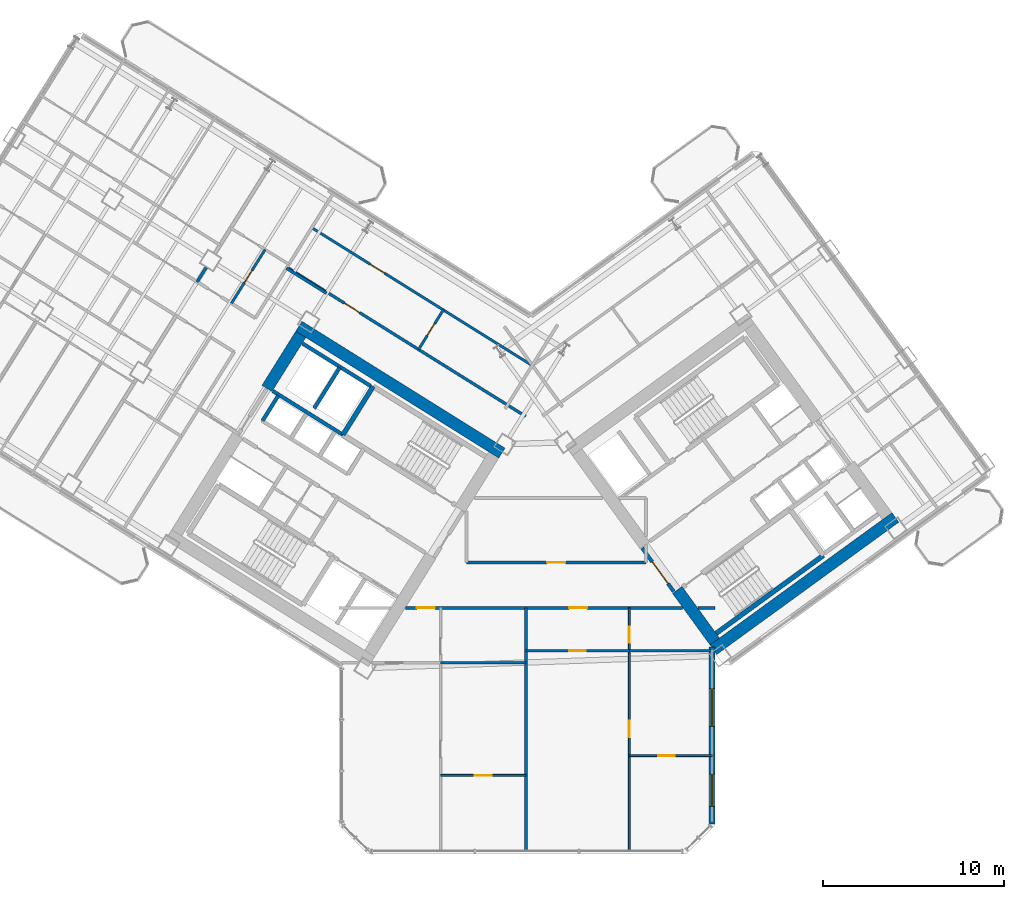
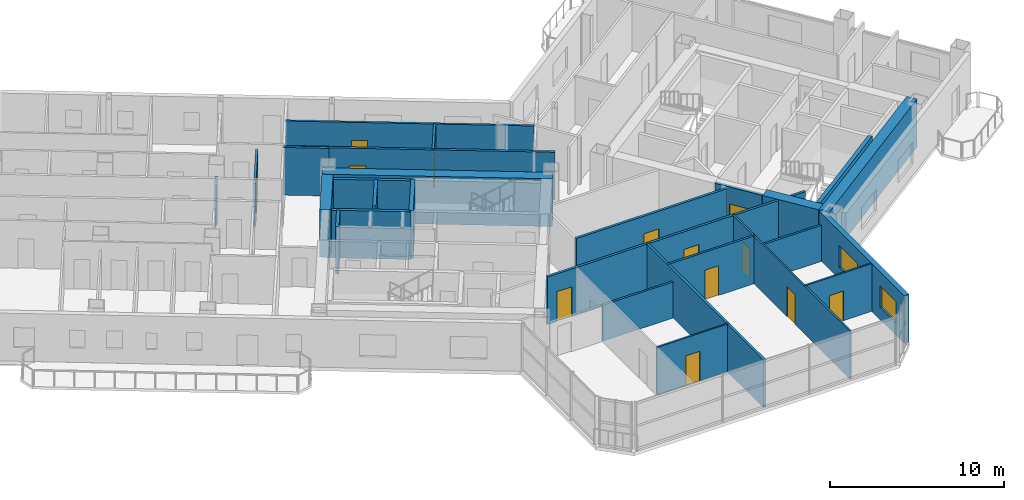
# One storey, part 13 of 21: 28 walls, 13 doors, 2 windows, 15 openings.
"""IFC4 building model written with IfcOpenShell, lengths in metres."""

import ifcopenshell
import ifcopenshell.guid

model = None  # the IFC model being written
_history = None  # IfcOwnerHistory: only IFC2X3 demands one
_inside = {}  # id of a spatial element -> (the spatial element, [elements in it])
_under = {}  # id of a project, library or spatial element -> (it, [spatial elements below it])
_declared = {}  # id of a project -> (the project, [libraries it declares])
_typed = {}  # id of a type object -> (the type object, [elements of that type])
_made_of = {}  # id of a material, layer set ... -> (it, [elements and type objects made of it])


def new_model(schema):
    """Start an empty IFC model of exactly this schema.

    Asked for "IFC4X3", IfcOpenShell would pick the latest addendum, in which some entities
    have other attributes; the version numbers below select the first issue.
    IFC2X3 requires an IfcOwnerHistory on every rooted entity: one is made here for all.
    """
    global model, _history
    if schema == "IFC4X3":
        model = ifcopenshell.file(schema_version=(4, 3, 0, 0))
    else:
        model = ifcopenshell.file(schema=schema)
    _inside.clear()
    _under.clear()
    _declared.clear()
    _typed.clear()
    _made_of.clear()
    _history = None
    if model.schema == "IFC2X3":
        org = make("IfcOrganization", Name="unknown")
        user = make(
            "IfcPersonAndOrganization",
            ThePerson=make("IfcPerson", FamilyName="unknown"),
            TheOrganization=org,
        )
        app = make(
            "IfcApplication",
            ApplicationDeveloper=org,
            Version="unknown",
            ApplicationFullName="unknown",
            ApplicationIdentifier="unknown",
        )
        _history = make(
            "IfcOwnerHistory",
            OwningUser=user,
            OwningApplication=app,
            ChangeAction="ADDED",
            CreationDate=0,
        )
    return model


def make(cls, **values):
    """One entity of the class cls with the attributes given. An attribute that is None is left unset."""
    return model.create_entity(
        cls, **{name: value for name, value in values.items() if value is not None}
    )


def rooted(cls, **values):
    """An entity with a GlobalId (a new one), such as an element, a storey or a relation."""
    return make(cls, GlobalId=ifcopenshell.guid.new(), OwnerHistory=_history, **values)


def si_unit(unit_type, name, prefix=None):
    """IfcSIUnit, for example si_unit("LENGTHUNIT", "METRE", prefix="MILLI")."""
    return make("IfcSIUnit", UnitType=unit_type, Prefix=prefix, Name=name)


def assignment(units):
    """IfcUnitAssignment: the units of a project."""
    return None if units is None else make("IfcUnitAssignment", Units=units)


def point(xyz):
    """IfcCartesianPoint."""
    return None if xyz is None else make("IfcCartesianPoint", Coordinates=xyz)


def direction(xyz):
    """IfcDirection."""
    return None if xyz is None else make("IfcDirection", DirectionRatios=xyz)


def frame(location, z_axis=None, x_axis=None):
    """IfcAxis2Placement3D, a coordinate frame: its origin and axes. An axis left out is left unset."""
    return make(
        "IfcAxis2Placement3D",
        Location=point(location),
        Axis=direction(z_axis),
        RefDirection=direction(x_axis),
    )


def frame_2d(location, x_axis=None):
    """IfcAxis2Placement2D, a coordinate frame in the plane: its origin and x axis."""
    return make(
        "IfcAxis2Placement2D", Location=point(location), RefDirection=direction(x_axis)
    )


def origin():
    """The frame at (0, 0, 0) with its axes left unset."""
    return frame((0.0, 0.0, 0.0))


def place(relative_to, where):
    """IfcLocalPlacement: puts the frame where relative to a parent placement (None: the world)."""
    return make(
        "IfcLocalPlacement", PlacementRelTo=relative_to, RelativePlacement=where
    )


def context(
    kind, dimensions, precision=None, world=None, true_north=None, identifier=None
):
    """IfcGeometricRepresentationContext, for example the 3D "Model" context."""
    return make(
        "IfcGeometricRepresentationContext",
        ContextIdentifier=identifier,
        ContextType=kind,
        CoordinateSpaceDimension=dimensions,
        Precision=precision,
        WorldCoordinateSystem=world,
        TrueNorth=true_north,
    )


def subcontext(parent, identifier, kind, view, scale=None):
    """IfcGeometricRepresentationSubContext, for example "Body" below "Model"."""
    return make(
        "IfcGeometricRepresentationSubContext",
        ContextIdentifier=identifier,
        ContextType=kind,
        ParentContext=parent,
        TargetScale=scale,
        TargetView=view,
    )


def project(units=None, contexts=None):
    """IfcProject with its units and contexts."""
    return rooted(
        "IfcProject",
        Name="project",
        RepresentationContexts=contexts,
        UnitsInContext=assignment(units),
    )


def spatial(cls, under=None, at=None, **own):
    """A site, building, storey or space (cls), placed at a placement, below another one or the project."""
    s = rooted(cls, ObjectPlacement=at, **own)
    if under is not None:
        _under.setdefault(under.id(), (under, []))[1].append(s)
    return s


def profile(cls, at=None, kind="AREA", **sizes):
    """A parametric profile (cls). Its sizes go by their IFC names, for example OverallWidth=200.0."""
    return make(cls, ProfileType=kind, Position=at, **sizes)


def rectangle(**sizes):
    """IfcRectangleProfileDef."""
    return profile("IfcRectangleProfileDef", **sizes)


def extrude(swept, where, along, depth):
    """IfcExtrudedAreaSolid: the profile swept, set in the frame where, extruded along a direction by depth."""
    return make(
        "IfcExtrudedAreaSolid",
        SweptArea=swept,
        Position=where,
        ExtrudedDirection=direction(along),
        Depth=depth,
    )


def shape(context_of_items, identifier, shape_type, items):
    """IfcShapeRepresentation: the items that make up one representation, for example the "Body"."""
    return make(
        "IfcShapeRepresentation",
        ContextOfItems=context_of_items,
        RepresentationIdentifier=identifier,
        RepresentationType=shape_type,
        Items=items,
    )


def source(mapping_origin, context_of_items, identifier, shape_type, items):
    """IfcRepresentationMap: a shape defined once, which mapped items show again and again."""
    return make(
        "IfcRepresentationMap",
        MappingOrigin=mapping_origin,
        MappedRepresentation=shape(context_of_items, identifier, shape_type, items),
    )


def transform(
    local_origin,
    x_axis=None,
    y_axis=None,
    z_axis=None,
    scale=None,
    scale2=None,
    scale3=None,
    uniform=True,
):
    """IfcCartesianTransformationOperator3D, or its non-uniform kind. x_axis, y_axis, z_axis: its Axis1, 2, 3."""
    if uniform:
        return make(
            "IfcCartesianTransformationOperator3D",
            Axis1=direction(x_axis),
            Axis2=direction(y_axis),
            LocalOrigin=point(local_origin),
            Scale=scale,
            Axis3=direction(z_axis),
        )
    return make(
        "IfcCartesianTransformationOperator3DnonUniform",
        Axis1=direction(x_axis),
        Axis2=direction(y_axis),
        LocalOrigin=point(local_origin),
        Scale=scale,
        Axis3=direction(z_axis),
        Scale2=scale2,
        Scale3=scale3,
    )


def mapped(mapping_source, mapping_target):
    """IfcMappedItem: shows the shape of a source again, moved by a transform."""
    return make(
        "IfcMappedItem", MappingSource=mapping_source, MappingTarget=mapping_target
    )


def material(Name=None, Category=None):
    """IfcMaterial."""
    return make("IfcMaterial", Name=Name, Category=Category)


def layer(
    of_material, thickness, ventilated=None, Name=None, Category=None, Priority=None
):
    """IfcMaterialLayer: one layer of a wall or slab, of a material (None: an air gap)."""
    return make(
        "IfcMaterialLayer",
        Material=of_material,
        LayerThickness=thickness,
        IsVentilated=ventilated,
        Name=Name,
        Category=Category,
        Priority=Priority,
    )


def layer_set(layers, Name=None):
    """IfcMaterialLayerSet."""
    return make("IfcMaterialLayerSet", MaterialLayers=layers, LayerSetName=Name)


def made_of(thing, what):
    """Note that an element or type object is made of a material, layer set ...; save() writes the relation."""
    if what is not None:
        _made_of.setdefault(what.id(), (what, []))[1].append(thing)
    return thing


def type_object(cls, material=None, **own):
    """A type object (cls), such as IfcWallType, which elements share."""
    return made_of(rooted(cls, **own), material)


def element(
    cls,
    number,
    at=None,
    inside=None,
    cuts=None,
    type_object=None,
    material=None,
    context=None,
    identifier="Body",
    shape_type=None,
    held_by="IfcProductDefinitionShape",
    body=None,
    shapes=None,
    **own,
):
    """One element of the class cls, such as IfcWall. Its Tag is "e" and its number.

    at: its placement. inside: the storey or other place that contains it. cuts: it is an
    opening in that element (IfcRelVoidsElement). A single representation is given by context,
    identifier, shape_type and body (its items); several are given by shapes. held_by: the class
    of the entity that holds the representations. save() writes the other relations.
    """
    e = rooted(cls, Tag="e%d" % number, ObjectPlacement=at, **own)
    if body is not None:
        shapes = [shape(context, identifier, shape_type, body)]
    if shapes is not None:
        e.Representation = make(held_by, Representations=shapes)
    if inside is not None:
        _inside.setdefault(inside.id(), (inside, []))[1].append(e)
    if cuts is not None:
        rooted(
            "IfcRelVoidsElement", RelatingBuildingElement=cuts, RelatedOpeningElement=e
        )
    if type_object is not None:
        _typed.setdefault(type_object.id(), (type_object, []))[1].append(e)
    return made_of(e, material)


def fill(opening, filler):
    """IfcRelFillsElement: the door or window that sits in an opening."""
    return rooted(
        "IfcRelFillsElement",
        RelatingOpeningElement=opening,
        RelatedBuildingElement=filler,
    )


def aggregate(whole, parts):
    """IfcRelAggregates: a whole, such as a stair, and the parts it consists of."""
    return rooted("IfcRelAggregates", RelatingObject=whole, RelatedObjects=parts)


def save(model, path):
    """Write the relations noted so far, then the file.

    IfcRelAggregates (storeys below a building ...), IfcRelContainedInSpatialStructure (elements
    in a storey), IfcRelDefinesByType, IfcRelAssociatesMaterial and IfcRelDeclares: one each for
    every whole, place, type object, material and project.
    """
    for whole, parts in _under.values():
        aggregate(whole, parts)
    for where, things in _inside.values():
        rooted(
            "IfcRelContainedInSpatialStructure",
            RelatedElements=things,
            RelatingStructure=where,
        )
    for kind, things in _typed.values():
        rooted("IfcRelDefinesByType", RelatedObjects=things, RelatingType=kind)
    for what, things in _made_of.values():
        rooted("IfcRelAssociatesMaterial", RelatedObjects=things, RelatingMaterial=what)
    for by, libraries in _declared.values():
        rooted("IfcRelDeclares", RelatingContext=by, RelatedDefinitions=libraries)
    model.write(path)


model = new_model("IFC4")

# Units and contexts
model_context = context("Model", 3, precision=1e-05, world=origin(), true_north=direction((0.0, 1.0)))
body_context = subcontext(model_context, "Body", "Model", "MODEL_VIEW")
ifc_project = project(units=[si_unit("LENGTHUNIT", "METRE"), si_unit("AREAUNIT", "SQUARE_METRE"), si_unit("VOLUMEUNIT", "CUBIC_METRE"), si_unit("PLANEANGLEUNIT", "RADIAN"), si_unit("MASSUNIT", "GRAM", prefix="KILO")], contexts=[model_context])

# Site, building, storey
site_placement = place(None, origin())
site = spatial("IfcSite", under=ifc_project, at=site_placement, CompositionType="ELEMENT")
building_placement = place(site_placement, origin())
building = spatial("IfcBuilding", under=site, at=building_placement, Name="Tlacorven Tower", CompositionType="ELEMENT")
storey_placement = place(building_placement, frame((0.0, 0.0, 90.0)))
storey = spatial("IfcBuildingStorey", under=building, at=storey_placement, Name="L22", CompositionType="ELEMENT", Elevation=90.0)

# Walls
ifc_material_1 = material(Name="Concrete C60/75", Category="concrete")
ifc_layer_1 = layer(ifc_material_1, 0.64990234375)
ifc_layer_set_1 = layer_set([ifc_layer_1], Name="Concrete C60/75")
wall_type_1 = type_object("IfcWallType", Name="WL-COR-650", PredefinedType="SHEAR", material=ifc_layer_set_1)
wall_1_placement = place(storey_placement, frame((40.615478515625, 23.9833984375, 0.0), z_axis=(0.0, 0.0, 1.0), x_axis=(-0.848045953968, 0.529922692436, 0.0)))
element("IfcWall", 1, at=wall_1_placement, inside=storey, type_object=wall_type_1, Name="L22 W core shear wall S1", PredefinedType="SHEAR", context=body_context, shape_type="SweptSolid", body=[
    extrude(rectangle(XDim=13.239990234375, YDim=0.64990234375, at=frame_2d((6.6201171875, 0.0))), origin(), (0.0, 0.0, 1.0), 3.35009765625),
])
wall_2_placement = place(storey_placement, frame((29.49072265625, 30.5517578125, 0.0), z_axis=(0.0, 0.0, 1.0), x_axis=(-0.529893103397, -0.8480644427, 0.0)))
element("IfcWall", 2, at=wall_2_placement, inside=storey, type_object=wall_type_1, Name="L22 W core end wall E2.1", PredefinedType="SHEAR", context=body_context, shape_type="SweptSolid", body=[
    extrude(rectangle(XDim=3.525146484375, YDim=0.64990234375, at=frame_2d((1.7626953125, 0.0))), origin(), (0.0, 0.0, 1.0), 3.35009765625),
])
wall_3_placement = place(storey_placement, frame((52.318359375, 13.1103515625, 0.0), z_axis=(0.0, 0.0, 1.0), x_axis=(0.809019445368, 0.587781878776, 0.0)))
element("IfcWall", 3, at=wall_3_placement, inside=storey, type_object=wall_type_1, Name="L22 E core shear wall S1", PredefinedType="SHEAR", context=body_context, shape_type="SweptSolid", body=[
    extrude(rectangle(XDim=12.43994140625, YDim=0.64990234375, at=frame_2d((6.219970703125, 0.0))), origin(), (0.0, 0.0, 1.0), 3.35009765625),
])
wall_4_placement = place(storey_placement, frame((52.390380859375, 13.564208984375, 0.0), z_axis=(0.0, 0.0, 1.0), x_axis=(-0.58779688989, 0.809008539037, 0.0)))
element("IfcWall", 4, at=wall_4_placement, inside=storey, type_object=wall_type_1, Name="L22 E core end wall E1.1", PredefinedType="SHEAR", context=body_context, shape_type="SweptSolid", body=[
    extrude(rectangle(XDim=3.525146484375, YDim=0.64990234375, at=frame_2d((1.7626953125, 0.0))), origin(), (0.0, 0.0, 1.0), 3.35009765625),
])
ifc_material_2 = material(Name="Gypsum plasterboard acoustic partition", Category="gypsum")
ifc_layer_2 = layer(ifc_material_2, 0.159912109375)
ifc_layer_set_2 = layer_set([ifc_layer_2], Name="Gypsum plasterboard acoustic partition")
wall_type_2 = type_object("IfcWallType", Name="WL-DEM-160", PredefinedType="PARTITIONING", material=ifc_layer_set_2)
wall_5_placement = place(storey_placement, frame((30.91357421875, 32.82861328125, 0.0), z_axis=(0.0, 0.0, 1.0), x_axis=(-0.848008813643, 0.529982124211, 0.0)))
element("IfcWall", 5, at=wall_5_placement, inside=storey, type_object=wall_type_2, Name="L22 partition 49", PredefinedType="PARTITIONING", context=body_context, shape_type="SweptSolid", body=[
    extrude(rectangle(XDim=2.610107421875, YDim=0.159912109375, at=frame_2d((1.30517578125, 0.0))), origin(), (0.0, 0.0, 1.0), 3.340087890625),
])
wall_6_placement = place(storey_placement, frame((24.255615234375, 34.2509765625, 0.0), z_axis=(0.0, 0.0, 1.0), x_axis=(-0.529952145338, -0.848027548876, 0.0)))
element("IfcWall", 6, at=wall_6_placement, inside=storey, type_object=wall_type_2, Name="L22 WS Demising Wall 1", PredefinedType="PARTITIONING", context=body_context, shape_type="SweptSolid", body=[
    extrude(rectangle(XDim=0.93798828125, YDim=0.159912109375, at=frame_2d((0.468994140625, 0.0))), origin(), (0.0, 0.0, 1.0), 2.77490234375),
])

# Wall, opening, door
wall_7_placement = place(storey_placement, frame((41.93603515625, 26.011962890625, 0.0), z_axis=(0.0, 0.0, 1.0), x_axis=(-0.848051154596, 0.529914369676, 0.0)))
wall_7 = element("IfcWall", 7, at=wall_7_placement, inside=storey, type_object=wall_type_2, Name="L22 partition 79", PredefinedType="PARTITIONING", context=body_context, shape_type="SweptSolid", body=[
    extrude(rectangle(XDim=15.56982421875, YDim=0.159912109375, at=frame_2d((7.784912109375, 0.0))), origin(), (0.0, 0.0, 1.0), 3.340087890625),
])
opening_1_placement = place(wall_7_placement, frame((10.830078125, 0.0, 0.0)))
opening_1 = element("IfcOpeningElement", 8, at=opening_1_placement, cuts=wall_7, Name="Opening D11", PredefinedType="OPENING", context=body_context, shape_type="SweptSolid", body=[
    extrude(rectangle(XDim=1.0, YDim=2.10009765625, at=frame_2d((0.5, 1.050048828125))), frame((0.0, 0.08984375, 0.0), z_axis=(0.0, -1.0, 0.0), x_axis=(1.0, 0.0, 0.0)), (0.0, 0.0, 1.0), 0.179931640625),
])
ifc_material_3 = material(Name="Fire-rated steel door assembly", Category="steel")
door_type_1 = type_object("IfcDoorType", Name="DR-FLT-FD60-1000", OperationType="NOTDEFINED", PredefinedType="DOOR", material=ifc_material_3)
shared_shape_1 = source(origin(), body_context, "Body", "SweptSolid", [
    extrude(rectangle(XDim=1.0, YDim=2.10009765625, at=frame_2d((0.5, 1.050048828125))), frame((0.0, 0.02490234375, 0.0), z_axis=(0.0, -1.0, 0.0), x_axis=(1.0, 0.0, 0.0)), (0.0, 0.0, 1.0), 0.050048828125),
])
door_1_placement = place(opening_1_placement, origin())
door_1 = element("IfcDoor", 9, at=door_1_placement, inside=storey, type_object=door_type_1, Name="L22 door 048", OperationType="SINGLE_SWING_RIGHT", OverallHeight=2.10009765625, OverallWidth=1.0, PredefinedType="DOOR", context=body_context, shape_type="MappedRepresentation", body=[
    mapped(shared_shape_1, transform((0.0, 0.0, 0.0), scale=1.0)),
])
fill(opening_1, door_1)

# Wall, openings, doors
wall_8_placement = place(storey_placement, frame((35.29638671875, 15.419921875, 0.0), z_axis=(0.0, 0.0, 1.0), x_axis=(1.0, 0.0, 0.0)))
wall_8 = element("IfcWall", 10, at=wall_8_placement, inside=storey, type_object=wall_type_2, Name="L22 Knuckle Corridor South Wall", PredefinedType="PARTITIONING", context=body_context, shape_type="SweptSolid", body=[
    extrude(rectangle(XDim=15.310546875, YDim=0.159912109375, at=frame_2d((7.6552734375, 0.0))), origin(), (0.0, 0.0, 1.0), 3.340087890625),
])
opening_2_placement = place(wall_8_placement, frame((0.61474609375, 0.0, 0.0)))
opening_2 = element("IfcOpeningElement", 11, at=opening_2_placement, cuts=wall_8, Name="Opening D11", PredefinedType="OPENING", context=body_context, shape_type="SweptSolid", body=[
    extrude(rectangle(XDim=1.0, YDim=2.10009765625, at=frame_2d((0.5, 1.050048828125))), frame((0.0, 0.08984375, 0.0), z_axis=(0.0, -1.0, 0.0), x_axis=(1.0, 0.0, 0.0)), (0.0, 0.0, 1.0), 0.179931640625),
])
opening_3_placement = place(wall_8_placement, frame((9.03515625, 0.0, 0.0)))
opening_3 = element("IfcOpeningElement", 12, at=opening_3_placement, cuts=wall_8, Name="Opening D11", PredefinedType="OPENING", context=body_context, shape_type="SweptSolid", body=[
    extrude(rectangle(XDim=1.0, YDim=2.10009765625, at=frame_2d((0.5, 1.050048828125))), frame((0.0, 0.08984375, 0.0), z_axis=(0.0, -1.0, 0.0), x_axis=(1.0, 0.0, 0.0)), (0.0, 0.0, 1.0), 0.179931640625),
])
door_2_placement = place(opening_2_placement, frame((1.0, 0.0, 0.0), z_axis=(0.0, 0.0, 1.0), x_axis=(-1.0, 0.0, 0.0)))
door_2 = element("IfcDoor", 13, at=door_2_placement, inside=storey, type_object=door_type_1, Name="L22 door 056", OperationType="SINGLE_SWING_RIGHT", OverallHeight=2.10009765625, OverallWidth=1.0, PredefinedType="DOOR", context=body_context, shape_type="MappedRepresentation", body=[
    mapped(shared_shape_1, transform((0.0, 0.0, 0.0), scale=1.0)),
])
fill(opening_2, door_2)
door_3_placement = place(opening_3_placement, frame((1.0, 0.0, 0.0), z_axis=(0.0, 0.0, 1.0), x_axis=(-1.0, 0.0, 0.0)))
door_3 = element("IfcDoor", 14, at=door_3_placement, inside=storey, type_object=door_type_1, Name="L22 door 061", OperationType="SINGLE_SWING_LEFT", OverallHeight=2.10009765625, OverallWidth=1.0, PredefinedType="DOOR", context=body_context, shape_type="MappedRepresentation", body=[
    mapped(shared_shape_1, transform((0.0, 0.0, 0.0), scale=1.0)),
])
fill(opening_3, door_3)

# Wall
wall_9_placement = place(storey_placement, frame((51.477294921875, 15.419921875, 0.0), z_axis=(0.0, 0.0, 1.0), x_axis=(1.0, 0.0, 0.0)))
element("IfcWall", 15, at=wall_9_placement, inside=storey, type_object=wall_type_2, Name="L22 Knuckle Corridor South Wall", PredefinedType="PARTITIONING", context=body_context, shape_type="SweptSolid", body=[
    extrude(rectangle(XDim=0.922607421875, YDim=0.159912109375, at=frame_2d((0.46142578125, 0.0))), origin(), (0.0, 0.0, 1.0), 3.340087890625),
])

# Wall, opening, door
wall_10_placement = place(storey_placement, frame((38.64990234375, 17.929931640625, 0.0), z_axis=(0.0, 0.0, 1.0), x_axis=(1.0, 0.0, 0.0)))
wall_10 = element("IfcWall", 16, at=wall_10_placement, inside=storey, type_object=wall_type_2, Name="L22 partition 85", PredefinedType="PARTITIONING", context=body_context, shape_type="SweptSolid", body=[
    extrude(rectangle(XDim=9.9501953125, YDim=0.159912109375, at=frame_2d((4.97509765625, 0.0))), origin(), (0.0, 0.0, 1.0), 3.340087890625),
])
opening_4_placement = place(wall_10_placement, frame((4.47509765625, 0.0, 0.0)))
opening_4 = element("IfcOpeningElement", 17, at=opening_4_placement, cuts=wall_10, Name="Opening D11", PredefinedType="OPENING", context=body_context, shape_type="SweptSolid", body=[
    extrude(rectangle(XDim=1.0, YDim=2.10009765625, at=frame_2d((0.5, 1.050048828125))), frame((0.0, 0.08984375, 0.0), z_axis=(0.0, -1.0, 0.0), x_axis=(1.0, 0.0, 0.0)), (0.0, 0.0, 1.0), 0.179931640625),
])
door_4_placement = place(opening_4_placement, origin())
door_4 = element("IfcDoor", 18, at=door_4_placement, inside=storey, type_object=door_type_1, Name="L22 door 051", OperationType="SINGLE_SWING_LEFT", OverallHeight=2.10009765625, OverallWidth=1.0, PredefinedType="DOOR", context=body_context, shape_type="MappedRepresentation", body=[
    mapped(shared_shape_1, transform((0.0, 0.0, 0.0), scale=1.0)),
])
fill(opening_4, door_4)

# Wall
wall_11_placement = place(storey_placement, frame((41.949951171875, 1.9599609375, 0.0), z_axis=(0.0, 0.0, 1.0), x_axis=(0.0, 1.0, 0.0)))
element("IfcWall", 19, at=wall_11_placement, inside=storey, type_object=wall_type_2, Name="L22 Knuckle Demising Wall 1", PredefinedType="PARTITIONING", context=body_context, shape_type="SweptSolid", body=[
    extrude(rectangle(XDim=13.4599609375, YDim=0.159912109375, at=frame_2d((6.72998046875, 0.0))), origin(), (0.0, 0.0, 1.0), 3.340087890625),
])

# Wall, openings, windows
ifc_material_4 = material(Name="Precast concrete C45/55", Category="concrete")
ifc_layer_3 = layer(ifc_material_4, 0.320068359375)
ifc_layer_set_3 = layer_set([ifc_layer_3], Name="Precast concrete C45/55")
wall_type_3 = type_object("IfcWallType", Name="WL-EXT-320", PredefinedType="STANDARD", material=ifc_layer_set_3)
wall_12_placement = place(storey_placement, frame((52.239990234375, 13.260986328125, 0.0), z_axis=(0.0, 0.0, 1.0), x_axis=(0.0, -1.0, 0.0)))
wall_12 = element("IfcWall", 20, at=wall_12_placement, inside=storey, type_object=wall_type_3, Name="L22 Masonry-Frame Recessed Facade Wall 7", PredefinedType="STANDARD", context=body_context, shape_type="SweptSolid", body=[
    extrude(rectangle(XDim=9.794677734375, YDim=0.320068359375, at=frame_2d((4.8974609375, 0.0))), origin(), (0.0, 0.0, 1.0), 3.35009765625),
])
opening_5_placement = place(wall_12_placement, frame((2.306884765625, 0.0, 0.800048828125)))
opening_5 = element("IfcOpeningElement", 21, at=opening_5_placement, cuts=wall_12, Name="Opening WN04", PredefinedType="OPENING", context=body_context, shape_type="SweptSolid", body=[
    extrude(rectangle(XDim=2.10009765625, YDim=1.550048828125, at=frame_2d((1.050048828125, 0.77490234375))), frame((0.0, 0.169921875, 0.0), z_axis=(0.0, -1.0, 0.0), x_axis=(1.0, 0.0, 0.0)), (0.0, 0.0, 1.0), 0.340087890625),
])
opening_6_placement = place(wall_12_placement, frame((7.0302734375, 0.0, 0.85009765625)))
opening_6 = element("IfcOpeningElement", 22, at=opening_6_placement, cuts=wall_12, Name="Opening WN01", PredefinedType="OPENING", context=body_context, shape_type="SweptSolid", body=[
    extrude(rectangle(XDim=1.800048828125, YDim=1.5, at=frame_2d((0.89990234375, 0.75))), frame((0.0, 0.169921875, 0.0), z_axis=(0.0, -1.0, 0.0), x_axis=(1.0, 0.0, 0.0)), (0.0, 0.0, 1.0), 0.340087890625),
])
ifc_material_5 = material(Name="Dark solar low-E double glazing in anodised aluminium frame", Category="aluminium")
window_type_1 = type_object("IfcWindowType", Name="WN-APT-2100X1750", PartitioningType="SINGLE_PANEL", PredefinedType="WINDOW", material=ifc_material_5)
shared_shape_2 = source(origin(), body_context, "Body", "SweptSolid", [
    extrude(rectangle(XDim=2.10009765625, YDim=1.550048828125, at=frame_2d((1.050048828125, 0.77490234375))), frame((0.0, 0.030029296875, 0.0), z_axis=(0.0, -1.0, 0.0), x_axis=(1.0, 0.0, 0.0)), (0.0, 0.0, 1.0), 0.06005859375),
])
window_1_placement = place(opening_5_placement, origin())
window_1 = element("IfcWindow", 23, at=window_1_placement, inside=storey, type_object=window_type_1, Name="L22 Recessed Masonry-Frame Window L22-07.1", OverallHeight=1.550048828125, OverallWidth=2.10009765625, PartitioningType="SINGLE_PANEL", PredefinedType="WINDOW", context=body_context, shape_type="MappedRepresentation", body=[
    mapped(shared_shape_2, transform((0.0, 0.0, 0.0), scale=1.0)),
])
fill(opening_5, window_1)
window_type_2 = type_object("IfcWindowType", Name="WN-APT-1800X1650", PartitioningType="SINGLE_PANEL", PredefinedType="WINDOW", material=ifc_material_5)
shared_shape_3 = source(origin(), body_context, "Body", "SweptSolid", [
    extrude(rectangle(XDim=1.800048828125, YDim=1.5, at=frame_2d((0.89990234375, 0.75))), frame((0.0, 0.030029296875, 0.0), z_axis=(0.0, -1.0, 0.0), x_axis=(1.0, 0.0, 0.0)), (0.0, 0.0, 1.0), 0.06005859375),
])
window_2_placement = place(opening_6_placement, origin())
window_2 = element("IfcWindow", 24, at=window_2_placement, inside=storey, type_object=window_type_2, Name="L22 Recessed Masonry-Frame Window L22-07.2", OverallHeight=1.5, OverallWidth=1.800048828125, PartitioningType="SINGLE_PANEL", PredefinedType="WINDOW", context=body_context, shape_type="MappedRepresentation", body=[
    mapped(shared_shape_3, transform((0.0, 0.0, 0.0), scale=1.0)),
])
fill(opening_6, window_2)

# Wall, opening, door
ifc_material_6 = material(Name="Gypsum plasterboard partition", Category="gypsum")
ifc_layer_4 = layer(ifc_material_6, 0.110107421875)
ifc_layer_set_4 = layer_set([ifc_layer_4], Name="Gypsum plasterboard partition")
wall_type_4 = type_object("IfcWallType", Name="WL-INT-110", PredefinedType="PARTITIONING", material=ifc_layer_set_4)
wall_13_placement = place(storey_placement, frame((37.221923828125, 6.14990234375, 0.0), z_axis=(0.0, 0.0, 1.0), x_axis=(1.0, 0.0, 0.0)))
wall_13 = element("IfcWall", 25, at=wall_13_placement, inside=storey, type_object=wall_type_4, Name="L22 partition 94", PredefinedType="PARTITIONING", context=body_context, shape_type="SweptSolid", body=[
    extrude(rectangle(XDim=4.72802734375, YDim=0.110107421875, at=frame_2d((2.364013671875, 0.0))), origin(), (0.0, 0.0, 1.0), 3.340087890625),
])
opening_7_placement = place(wall_13_placement, frame((1.904052734375, 0.0, 0.0)))
opening_7 = element("IfcOpeningElement", 26, at=opening_7_placement, cuts=wall_13, Name="Opening D12", PredefinedType="OPENING", context=body_context, shape_type="SweptSolid", body=[
    extrude(rectangle(XDim=0.919921875, YDim=2.080078125, at=frame_2d((0.4599609375, 1.0400390625))), frame((0.0, 0.06494140625, 0.0), z_axis=(0.0, -1.0, 0.0), x_axis=(1.0, 0.0, 0.0)), (0.0, 0.0, 1.0), 0.130126953125),
])
ifc_material_7 = material(Name="Powder-coated aluminium and timber door", Category="wood")
door_type_2 = type_object("IfcDoorType", Name="DR-INT-ROOM-0920", OperationType="NOTDEFINED", PredefinedType="DOOR", material=ifc_material_7)
shared_shape_4 = source(origin(), body_context, "Body", "SweptSolid", [
    extrude(rectangle(XDim=0.919921875, YDim=2.080078125, at=frame_2d((0.4599609375, 1.0400390625))), frame((0.0, 0.02490234375, 0.0), z_axis=(0.0, -1.0, 0.0), x_axis=(1.0, 0.0, 0.0)), (0.0, 0.0, 1.0), 0.050048828125),
])
door_5_placement = place(opening_7_placement, origin())
door_5 = element("IfcDoor", 27, at=door_5_placement, inside=storey, type_object=door_type_2, Name="L22 door 055", OperationType="SINGLE_SWING_LEFT", OverallHeight=2.080078125, OverallWidth=0.919921875, PredefinedType="DOOR", context=body_context, shape_type="MappedRepresentation", body=[
    mapped(shared_shape_4, transform((0.0, 0.0, 0.0), scale=1.0)),
])
fill(opening_7, door_5)

# Wall, openings, doors
wall_14_placement = place(storey_placement, frame((47.6630859375, 1.9599609375, 0.0), z_axis=(0.0, 0.0, 1.0), x_axis=(0.0, 1.0, 0.0)))
wall_14 = element("IfcWall", 28, at=wall_14_placement, inside=storey, type_object=wall_type_4, Name="L22 partition 95", PredefinedType="PARTITIONING", context=body_context, shape_type="SweptSolid", body=[
    extrude(rectangle(XDim=13.4599609375, YDim=0.110107421875, at=frame_2d((6.72998046875, 0.0))), origin(), (0.0, 0.0, 1.0), 3.340087890625),
])
opening_8_placement = place(wall_14_placement, frame((6.300048828125, 0.0, 0.0)))
opening_8 = element("IfcOpeningElement", 29, at=opening_8_placement, cuts=wall_14, Name="Opening D12", PredefinedType="OPENING", context=body_context, shape_type="SweptSolid", body=[
    extrude(rectangle(XDim=0.919921875, YDim=2.080078125, at=frame_2d((0.4599609375, 1.0400390625))), frame((0.0, 0.06494140625, 0.0), z_axis=(0.0, -1.0, 0.0), x_axis=(1.0, 0.0, 0.0)), (0.0, 0.0, 1.0), 0.130126953125),
])
opening_9_placement = place(wall_14_placement, frame((11.5400390625, 0.0, 0.0)))
opening_9 = element("IfcOpeningElement", 30, at=opening_9_placement, cuts=wall_14, Name="Opening D13", PredefinedType="OPENING", context=body_context, shape_type="SweptSolid", body=[
    extrude(rectangle(XDim=0.8798828125, YDim=2.080078125, at=frame_2d((0.43994140625, 1.0400390625))), frame((0.0, 0.06494140625, 0.0), z_axis=(0.0, -1.0, 0.0), x_axis=(1.0, 0.0, 0.0)), (0.0, 0.0, 1.0), 0.130126953125),
])
door_type_3 = type_object("IfcDoorType", Name="DR-INT-WET-0880", OperationType="NOTDEFINED", PredefinedType="DOOR", material=ifc_material_7)
shared_shape_5 = source(origin(), body_context, "Body", "SweptSolid", [
    extrude(rectangle(XDim=0.8798828125, YDim=2.080078125, at=frame_2d((0.43994140625, 1.0400390625))), frame((0.0, 0.02490234375, 0.0), z_axis=(0.0, -1.0, 0.0), x_axis=(1.0, 0.0, 0.0)), (0.0, 0.0, 1.0), 0.050048828125),
])
door_6_placement = place(opening_9_placement, origin())
door_6 = element("IfcDoor", 31, at=door_6_placement, inside=storey, type_object=door_type_3, Name="L22 door 063", OperationType="SINGLE_SWING_LEFT", OverallHeight=2.080078125, OverallWidth=0.8798828125, PredefinedType="DOOR", context=body_context, shape_type="MappedRepresentation", body=[
    mapped(shared_shape_5, transform((0.0, 0.0, 0.0), scale=1.0)),
])
fill(opening_9, door_6)
door_7_placement = place(opening_8_placement, origin())
door_7 = element("IfcDoor", 32, at=door_7_placement, inside=storey, type_object=door_type_2, Name="L22 door 059", OperationType="SINGLE_SWING_LEFT", OverallHeight=2.080078125, OverallWidth=0.919921875, PredefinedType="DOOR", context=body_context, shape_type="MappedRepresentation", body=[
    mapped(shared_shape_4, transform((0.0, 0.0, 0.0), scale=1.0)),
])
fill(opening_8, door_7)

# Wall, opening, door
wall_15_placement = place(storey_placement, frame((47.6630859375, 7.25, 0.0), z_axis=(0.0, 0.0, 1.0), x_axis=(1.0, 0.0, 0.0)))
wall_15 = element("IfcWall", 33, at=wall_15_placement, inside=storey, type_object=wall_type_4, Name="L22 partition 98", PredefinedType="PARTITIONING", context=body_context, shape_type="SweptSolid", body=[
    extrude(rectangle(XDim=4.596923828125, YDim=0.110107421875, at=frame_2d((2.29833984375, 0.0))), origin(), (0.0, 0.0, 1.0), 3.340087890625),
])
opening_10_placement = place(wall_15_placement, frame((1.6083984375, 0.0, 0.0)))
opening_10 = element("IfcOpeningElement", 34, at=opening_10_placement, cuts=wall_15, Name="Opening D12", PredefinedType="OPENING", context=body_context, shape_type="SweptSolid", body=[
    extrude(rectangle(XDim=0.919921875, YDim=2.080078125, at=frame_2d((0.4599609375, 1.0400390625))), frame((0.0, 0.06494140625, 0.0), z_axis=(0.0, -1.0, 0.0), x_axis=(1.0, 0.0, 0.0)), (0.0, 0.0, 1.0), 0.130126953125),
])
door_8_placement = place(opening_10_placement, origin())
door_8 = element("IfcDoor", 35, at=door_8_placement, inside=storey, type_object=door_type_2, Name="L22 door 060", OperationType="SINGLE_SWING_RIGHT", OverallHeight=2.080078125, OverallWidth=0.919921875, PredefinedType="DOOR", context=body_context, shape_type="MappedRepresentation", body=[
    mapped(shared_shape_4, transform((0.0, 0.0, 0.0), scale=1.0)),
])
fill(opening_10, door_8)

ifc_material_8 = material(Name="Moisture-resistant gypsum plumbing wall", Category="gypsum")
ifc_layer_5 = layer(ifc_material_8, 0.139892578125)
ifc_layer_set_5 = layer_set([ifc_layer_5], Name="Moisture-resistant gypsum plumbing wall")
wall_type_5 = type_object("IfcWallType", Name="WL-PLM-140", PredefinedType="PLUMBINGWALL", material=ifc_layer_set_5)
wall_16_placement = place(storey_placement, frame((27.518310546875, 35.2451171875, 0.0), z_axis=(0.0, 0.0, 1.0), x_axis=(-0.529948921118, -0.848029563757, 0.0)))
wall_16 = element("IfcWall", 36, at=wall_16_placement, inside=storey, type_object=wall_type_5, Name="L22 partition 70", PredefinedType="PLUMBINGWALL", context=body_context, shape_type="SweptSolid", body=[
    extrude(rectangle(XDim=3.510009765625, YDim=0.139892578125, at=frame_2d((1.7548828125, 0.0))), origin(), (0.0, 0.0, 1.0), 2.9951171875),
])
opening_11_placement = place(wall_16_placement, frame((1.364990234375, 0.0, 0.0)))
opening_11 = element("IfcOpeningElement", 37, at=opening_11_placement, cuts=wall_16, Name="Opening D22", PredefinedType="OPENING", context=body_context, shape_type="SweptSolid", body=[
    extrude(rectangle(XDim=0.780029296875, YDim=2.050048828125, at=frame_2d((0.39013671875, 1.02490234375))), frame((0.0, 0.080078125, 0.0), z_axis=(0.0, -1.0, 0.0), x_axis=(1.0, 0.0, 0.0)), (0.0, 0.0, 1.0), 0.159912109375),
])
door_type_4 = type_object("IfcDoorType", Name="DR-INT-WET-0780", OperationType="NOTDEFINED", PredefinedType="DOOR", material=ifc_material_7)
shared_shape_6 = source(origin(), body_context, "Body", "SweptSolid", [
    extrude(rectangle(XDim=0.780029296875, YDim=2.050048828125, at=frame_2d((0.39013671875, 1.02490234375))), frame((0.0, 0.02490234375, 0.0), z_axis=(0.0, -1.0, 0.0), x_axis=(1.0, 0.0, 0.0)), (0.0, 0.0, 1.0), 0.050048828125),
])
door_9_placement = place(opening_11_placement, origin())
door_9 = element("IfcDoor", 38, at=door_9_placement, inside=storey, type_object=door_type_4, Name="L22 door 038", OperationType="SINGLE_SWING_RIGHT", OverallHeight=2.050048828125, OverallWidth=0.780029296875, PredefinedType="DOOR", context=body_context, shape_type="MappedRepresentation", body=[
    mapped(shared_shape_6, transform((0.0, 0.0, 0.0), scale=1.0)),
])
fill(opening_11, door_9)

wall_17_placement = place(storey_placement, frame((42.226318359375, 28.872802734375, 0.0), z_axis=(0.0, 0.0, 1.0), x_axis=(-0.848049134363, 0.529917602752, 0.0)))
wall_17 = element("IfcWall", 39, at=wall_17_placement, inside=storey, type_object=wall_type_5, Name="L22 partition 81", PredefinedType="PLUMBINGWALL", context=body_context, shape_type="SweptSolid", body=[
    extrude(rectangle(XDim=14.300048828125, YDim=0.139892578125, at=frame_2d((7.14990234375, 0.0))), origin(), (0.0, 0.0, 1.0), 3.340087890625),
])
opening_12_placement = place(wall_17_placement, frame((9.570068359375, 0.0, 0.0)))
opening_12 = element("IfcOpeningElement", 40, at=opening_12_placement, cuts=wall_17, Name="Opening D12", PredefinedType="OPENING", context=body_context, shape_type="SweptSolid", body=[
    extrude(rectangle(XDim=0.919921875, YDim=2.080078125, at=frame_2d((0.4599609375, 1.0400390625))), frame((0.0, 0.080078125, 0.0), z_axis=(0.0, -1.0, 0.0), x_axis=(1.0, 0.0, 0.0)), (0.0, 0.0, 1.0), 0.159912109375),
])
door_10_placement = place(opening_12_placement, origin())
door_10 = element("IfcDoor", 41, at=door_10_placement, inside=storey, type_object=door_type_2, Name="L22 door 049", OperationType="SINGLE_SWING_LEFT", OverallHeight=2.080078125, OverallWidth=0.919921875, PredefinedType="DOOR", context=body_context, shape_type="MappedRepresentation", body=[
    mapped(shared_shape_4, transform((0.0, 0.0, 0.0), scale=1.0)),
])
fill(opening_12, door_10)

wall_18_placement = place(storey_placement, frame((37.37548828125, 31.904052734375, 0.0), z_axis=(0.0, 0.0, 1.0), x_axis=(-0.529913878929, -0.848051461244, 0.0)))
wall_18 = element("IfcWall", 42, at=wall_18_placement, inside=storey, type_object=wall_type_5, Name="L22 partition 82", PredefinedType="PLUMBINGWALL", context=body_context, shape_type="SweptSolid", body=[
    extrude(rectangle(XDim=2.580078125, YDim=0.139892578125, at=frame_2d((1.2900390625, 0.0))), origin(), (0.0, 0.0, 1.0), 3.340087890625),
])
opening_13_placement = place(wall_18_placement, frame((0.89990234375, 0.0, 0.0)))
opening_13 = element("IfcOpeningElement", 43, at=opening_13_placement, cuts=wall_18, Name="Opening D22", PredefinedType="OPENING", context=body_context, shape_type="SweptSolid", body=[
    extrude(rectangle(XDim=0.780029296875, YDim=2.050048828125, at=frame_2d((0.39013671875, 1.02490234375))), frame((0.0, 0.080078125, 0.0), z_axis=(0.0, -1.0, 0.0), x_axis=(1.0, 0.0, 0.0)), (0.0, 0.0, 1.0), 0.159912109375),
])
door_11_placement = place(opening_13_placement, origin())
door_11 = element("IfcDoor", 44, at=door_11_placement, inside=storey, type_object=door_type_4, Name="L22 door 050", OperationType="SINGLE_SWING_RIGHT", OverallHeight=2.050048828125, OverallWidth=0.780029296875, PredefinedType="DOOR", context=body_context, shape_type="MappedRepresentation", body=[
    mapped(shared_shape_6, transform((0.0, 0.0, 0.0), scale=1.0)),
])
fill(opening_13, door_11)

# Wall
wall_19_placement = place(storey_placement, frame((37.221923828125, 12.389892578125, 0.0), z_axis=(0.0, 0.0, 1.0), x_axis=(1.0, 0.0, 0.0)))
element("IfcWall", 45, at=wall_19_placement, inside=storey, type_object=wall_type_5, Name="L22 partition 93", PredefinedType="PLUMBINGWALL", context=body_context, shape_type="SweptSolid", body=[
    extrude(rectangle(XDim=4.72802734375, YDim=0.139892578125, at=frame_2d((2.364013671875, 0.0))), origin(), (0.0, 0.0, 1.0), 2.52490234375),
])

# Wall, opening, door
wall_20_placement = place(storey_placement, frame((41.949951171875, 13.0400390625, 0.0), z_axis=(0.0, 0.0, 1.0), x_axis=(1.0, 0.0, 0.0)))
wall_20 = element("IfcWall", 46, at=wall_20_placement, inside=storey, type_object=wall_type_5, Name="L22 partition 96", PredefinedType="PLUMBINGWALL", context=body_context, shape_type="SweptSolid", body=[
    extrude(rectangle(XDim=5.713134765625, YDim=0.139892578125, at=frame_2d((2.8564453125, 0.0))), origin(), (0.0, 0.0, 1.0), 3.340087890625),
])
opening_14_placement = place(wall_20_placement, frame((2.396484375, 0.0, 0.0)))
opening_14 = element("IfcOpeningElement", 47, at=opening_14_placement, cuts=wall_20, Name="Opening D12", PredefinedType="OPENING", context=body_context, shape_type="SweptSolid", body=[
    extrude(rectangle(XDim=0.919921875, YDim=2.080078125, at=frame_2d((0.4599609375, 1.0400390625))), frame((0.0, 0.080078125, 0.0), z_axis=(0.0, -1.0, 0.0), x_axis=(1.0, 0.0, 0.0)), (0.0, 0.0, 1.0), 0.159912109375),
])
door_12_placement = place(opening_14_placement, frame((0.919921875, 0.0, 0.0), z_axis=(0.0, 0.0, 1.0), x_axis=(-1.0, 0.0, 0.0)))
door_12 = element("IfcDoor", 48, at=door_12_placement, inside=storey, type_object=door_type_2, Name="L22 door 062", OperationType="SINGLE_SWING_RIGHT", OverallHeight=2.080078125, OverallWidth=0.919921875, PredefinedType="DOOR", context=body_context, shape_type="MappedRepresentation", body=[
    mapped(shared_shape_4, transform((0.0, 0.0, 0.0), scale=1.0)),
])
fill(opening_14, door_12)

# Walls
wall_21_placement = place(storey_placement, frame((47.6630859375, 13.0400390625, 0.0), z_axis=(0.0, 0.0, 1.0), x_axis=(1.0, 0.0, 0.0)))
element("IfcWall", 49, at=wall_21_placement, inside=storey, type_object=wall_type_5, Name="L22 partition 97", PredefinedType="PLUMBINGWALL", context=body_context, shape_type="SweptSolid", body=[
    extrude(rectangle(XDim=4.596923828125, YDim=0.139892578125, at=frame_2d((2.29833984375, 0.0))), origin(), (0.0, 0.0, 1.0), 2.52490234375),
])
ifc_material_9 = material(Name="Concrete C40/50", Category="concrete")
ifc_layer_6 = layer(ifc_material_9, 0.199951171875)
ifc_layer_set_6 = layer_set([ifc_layer_6], Name="Concrete C40/50")
wall_type_6 = type_object("IfcWallType", Name="WL-SHF-200", PredefinedType="STANDARD", material=ifc_layer_set_6)
wall_22_placement = place(storey_placement, frame((31.82177734375, 24.99755859375, 0.0), z_axis=(0.0, 0.0, 1.0), x_axis=(-0.848058348634, 0.529902856485, 0.0)))
element("IfcWall", 50, at=wall_22_placement, inside=storey, type_object=wall_type_6, Name="L22 Core W South Lift Shaft Wall", PredefinedType="STANDARD", context=body_context, shape_type="SweptSolid", body=[
    extrude(rectangle(XDim=4.568115234375, YDim=0.199951171875, at=frame_2d((2.2841796875, 0.0))), origin(), (0.0, 0.0, 1.0), 3.340087890625),
])
wall_23_placement = place(storey_placement, frame((28.250244140625, 27.170166015625, 0.0), z_axis=(0.0, 0.0, 1.0), x_axis=(-0.529905827651, -0.848056492117, 0.0)))
element("IfcWall", 51, at=wall_23_placement, inside=storey, type_object=wall_type_6, Name="L22 partition 13", PredefinedType="STANDARD", context=body_context, shape_type="SweptSolid", body=[
    extrude(rectangle(XDim=1.64990234375, YDim=0.199951171875, at=frame_2d((0.824951171875, 0.0))), origin(), (0.0, 0.0, 1.0), 3.340087890625),
])
wall_24_placement = place(storey_placement, frame((31.645263671875, 28.716064453125, 0.0), z_axis=(0.0, 0.0, 1.0), x_axis=(-0.52986693015, -0.848080795876, 0.0)))
element("IfcWall", 52, at=wall_24_placement, inside=storey, type_object=wall_type_6, Name="L22 partition 15", PredefinedType="STANDARD", context=body_context, shape_type="SweptSolid", body=[
    extrude(rectangle(XDim=2.659912109375, YDim=0.199951171875, at=frame_2d((1.330078125, 0.0))), origin(), (0.0, 0.0, 1.0), 3.340087890625),
])
wall_25_placement = place(storey_placement, frame((33.362548828125, 27.690185546875, 0.0), z_axis=(0.0, 0.0, 1.0), x_axis=(-0.848053806312, 0.529910125964, 0.0)))
element("IfcWall", 53, at=wall_25_placement, inside=storey, type_object=wall_type_6, Name="L22 partition 17", PredefinedType="STANDARD", context=body_context, shape_type="SweptSolid", body=[
    extrude(rectangle(XDim=4.44775390625, YDim=0.199951171875, at=frame_2d((2.223876953125, 0.0))), origin(), (0.0, 0.0, 1.0), 3.340087890625),
])

# Wall, opening, door
wall_26_placement = place(storey_placement, frame((50.119140625, 16.3330078125, 0.0), z_axis=(0.0, 0.0, 1.0), x_axis=(-0.587749856981, 0.809042709391, 0.0)))
wall_26 = element("IfcWall", 54, at=wall_26_placement, inside=storey, type_object=wall_type_6, Name="L22 partition 89", PredefinedType="STANDARD", context=body_context, shape_type="SweptSolid", body=[
    extrude(rectangle(XDim=2.9599609375, YDim=0.199951171875, at=frame_2d((1.47998046875, 0.0))), origin(), (0.0, 0.0, 1.0), 3.340087890625),
])
opening_15_placement = place(wall_26_placement, frame((0.530029296875, 0.0, 0.0)))
opening_15 = element("IfcOpeningElement", 55, at=opening_15_placement, cuts=wall_26, Name="Opening D10", PredefinedType="OPENING", context=body_context, shape_type="SweptSolid", body=[
    extrude(rectangle(XDim=1.5, YDim=2.14990234375, at=frame_2d((0.75, 1.074951171875))), frame((0.0, 0.10986328125, 0.0), z_axis=(0.0, -1.0, 0.0), x_axis=(1.0, 0.0, 0.0)), (0.0, 0.0, 1.0), 0.219970703125),
])
door_type_5 = type_object("IfcDoorType", Name="DR-LOB-FD60-1500", OperationType="DOUBLE_DOOR_SINGLE_SWING", PredefinedType="DOOR", material=ifc_material_3)
shared_shape_7 = source(origin(), body_context, "Body", "SweptSolid", [
    extrude(rectangle(XDim=1.5, YDim=2.14990234375, at=frame_2d((0.75, 1.074951171875))), frame((0.0, 0.02490234375, 0.0), z_axis=(0.0, -1.0, 0.0), x_axis=(1.0, 0.0, 0.0)), (0.0, 0.0, 1.0), 0.050048828125),
])
door_13_placement = place(opening_15_placement, frame((1.5, 0.0, 0.0), z_axis=(0.0, 0.0, 1.0), x_axis=(-1.0, 0.0, 0.0)))
door_13 = element("IfcDoor", 56, at=door_13_placement, inside=storey, type_object=door_type_5, Name="L22 door 053", OperationType="DOUBLE_DOOR_SINGLE_SWING", OverallHeight=2.14990234375, OverallWidth=1.5, PredefinedType="DOOR", context=body_context, shape_type="MappedRepresentation", body=[
    mapped(shared_shape_7, transform((0.0, 0.0, 0.0), scale=1.0)),
])
fill(opening_15, door_13)

# Walls
ifc_material_10 = material(Name="Concrete C50/60", Category="concrete")
ifc_layer_7 = layer(ifc_material_10, 0.260009765625)
ifc_layer_set_7 = layer_set([ifc_layer_7], Name="Concrete C50/60")
wall_type_7 = type_object("IfcWallType", Name="WL-STW-260", PredefinedType="SHEAR", material=ifc_layer_set_7)
wall_27_placement = place(storey_placement, frame((33.496337890625, 27.677490234375, 0.0), z_axis=(0.0, 0.0, 1.0), x_axis=(-0.529908658664, -0.84805472316, 0.0)))
element("IfcWall", 57, at=wall_27_placement, inside=storey, type_object=wall_type_7, Name="L22 Stair W2 East Shear Wall", PredefinedType="SHEAR", context=body_context, shape_type="SweptSolid", body=[
    extrude(rectangle(XDim=3.16015625, YDim=0.260009765625, at=frame_2d((1.580078125, 0.0))), origin(), (0.0, 0.0, 1.0), 3.35009765625),
])
wall_28_placement = place(storey_placement, frame((52.47216796875, 14.01318359375, 0.0), z_axis=(0.0, 0.0, 1.0), x_axis=(0.809028366311, 0.587769599847, 0.0)))
element("IfcWall", 58, at=wall_28_placement, inside=storey, type_object=wall_type_7, Name="L22 Stair E2 Far Shear Wall", PredefinedType="SHEAR", context=body_context, shape_type="SweptSolid", body=[
    extrude(rectangle(XDim=7.330078125, YDim=0.260009765625, at=frame_2d((3.6650390625, 0.0))), origin(), (0.0, 0.0, 1.0), 3.35009765625),
])

save(model, "model.ifc")
